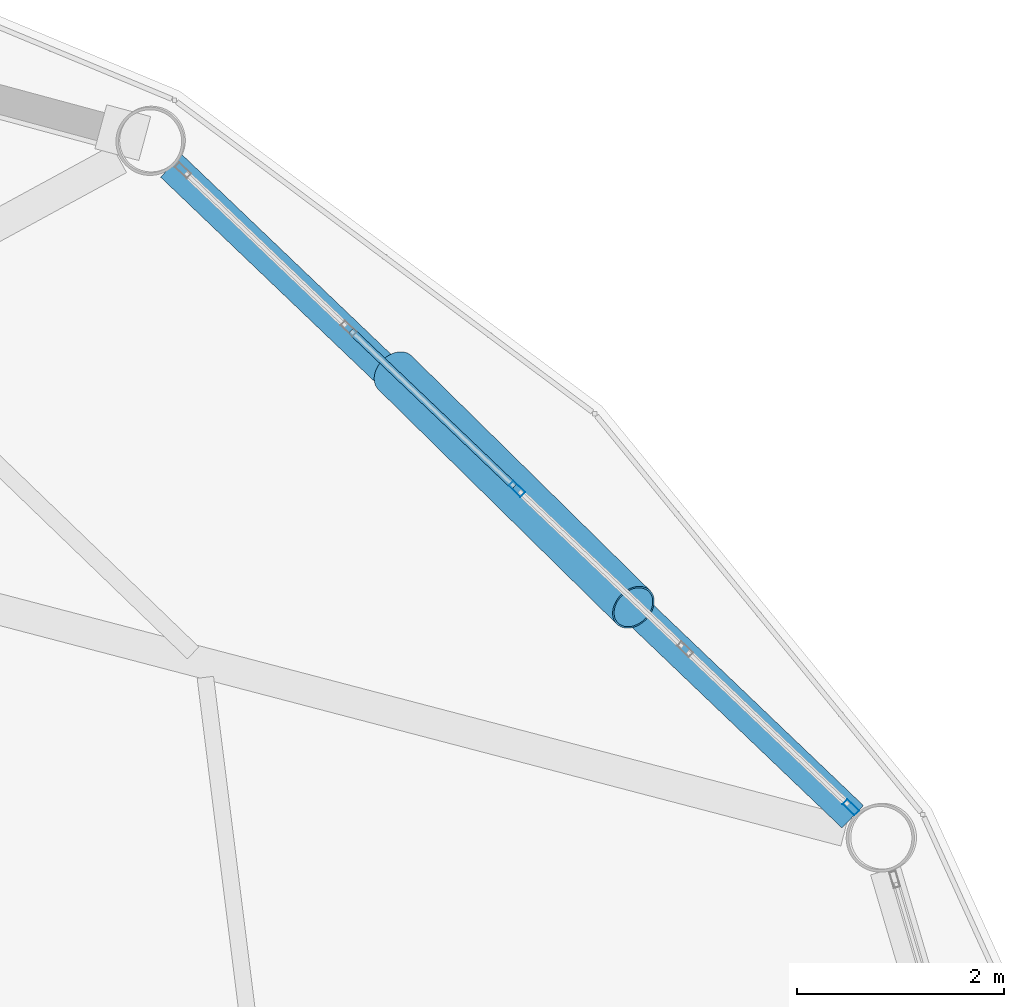
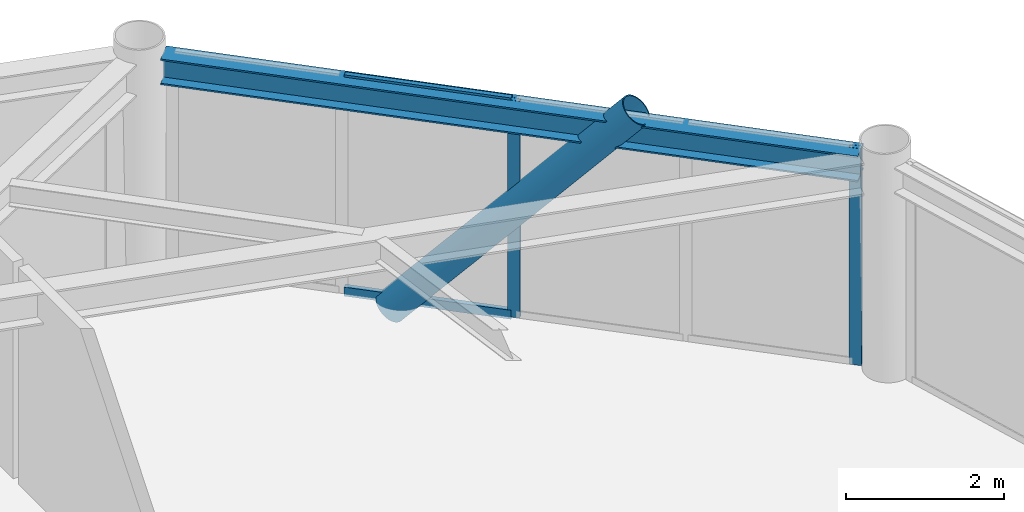
# One storey, part 18 of 28: 5 members, 1 beam, 1 element without a shape of its own.
"""IFC4 building model written with IfcOpenShell, lengths in metres."""

from ifc_helpers import new_model, si_unit, direction, frame, origin, origin_2d, place, context, subcontext, project, spatial, hollow_rectangle, hollow_circle, i_section, extrude, material, layer, layer_set, material_profile, profile_set, type_object, element, aggregate, save


model = new_model("IFC4")

# Units and contexts
model_context = context("Model", 3, precision=1e-05, world=origin(), true_north=direction((0.0, 1.0)))
body_context = subcontext(model_context, "Body", "Model", "MODEL_VIEW")
ifc_project = project(units=[si_unit("LENGTHUNIT", "METRE"), si_unit("AREAUNIT", "SQUARE_METRE"), si_unit("VOLUMEUNIT", "CUBIC_METRE"), si_unit("PLANEANGLEUNIT", "RADIAN"), si_unit("MASSUNIT", "GRAM", prefix="KILO")], contexts=[model_context])

# Site, building, storey
site_placement = place(None, origin())
site = spatial("IfcSite", under=ifc_project, at=site_placement, CompositionType="ELEMENT")
building_placement = place(site_placement, origin())
building = spatial("IfcBuilding", under=site, at=building_placement, Name="Varnakorn Sky Granary", CompositionType="ELEMENT")
storey_placement = place(building_placement, frame((0.0, 0.0, 196.800048828125)))
storey = spatial("IfcBuildingStorey", under=building, at=storey_placement, Name="L49", CompositionType="ELEMENT", Elevation=196.800048828125)

# Beam
ifc_material_1 = material(Name="Steel S355JR", Category="steel")
ifc_material_profile_1 = material_profile(ifc_material_1, i_section(OverallWidth=0.300048828125, OverallDepth=0.39990234375, WebThickness=0.013427734375, FlangeThickness=0.02392578125, at=origin_2d()), Name="HE 400 B")
ifc_profile_set_1 = profile_set([ifc_material_profile_1], Name="Steel S355JR")
beam_type = type_object("IfcBeamType", Name="BM-SPD-Z4", PredefinedType="SPANDREL", material=ifc_profile_set_1)
beam_placement = place(storey_placement, frame((21.285400390625, 9.406494140625, 3.159912109375), z_axis=(-0.723135849748, 0.69070582943, 0.0), x_axis=(-0.69070582943, -0.723135849748, 0.0)))
element("IfcBeam", 1, at=beam_placement, inside=storey, type_object=beam_type, Name="Perimeter Spandrel Ring Beam RB02 L49", PredefinedType="SPANDREL", context=body_context, shape_type="SweptSolid", body=[
    extrude(i_section(OverallWidth=0.300048828125, OverallDepth=0.39990234375, WebThickness=0.013427734375, FlangeThickness=0.02392578125, at=origin_2d()), origin(), (0.0, 0.0, 1.0), 9.109130859375),
])

# Curtain wall, members
ifc_material_2 = material(Name="Anodised Bronze Aluminium Alloy 6063-T6", Category="aluminium")
ifc_layer = layer(ifc_material_2, 0.169921875, Name="Anodised Bronze Aluminium Alloy 6063-T6")
ifc_layer_set = layer_set([ifc_layer], Name="Anodised Bronze Aluminium Alloy 6063-T6")
curtain_wall_type = type_object("IfcCurtainWallType", Name="CW-LAB-1", PredefinedType="USERDEFINED", material=ifc_layer_set)
curtain_wall_placement = place(storey_placement, origin())
curtain_wall = element("IfcCurtainWall", 2, at=curtain_wall_placement, inside=storey, type_object=curtain_wall_type, Name="Unitised Curtain Wall CW5 CW-L49-B02", ObjectType="CURTAIN WALL", PredefinedType="USERDEFINED")
ifc_material_profile_2 = material_profile(ifc_material_2, hollow_rectangle(XDim=0.06494140625, YDim=0.159912109375, WallThickness=0.00341796875, at=origin_2d()), Name="ALU MULL 65x160")
ifc_profile_set_2 = profile_set([ifc_material_profile_2], Name="Anodised Bronze Aluminium Alloy 6063-T6")
member_type_1 = type_object("IfcMemberType", Name="CW-LAB-1-MULL", PredefinedType="MULLION", material=ifc_profile_set_2)
member_1_placement = place(storey_placement, frame((18.038330078125, 12.57568359375, 0.0), z_axis=(0.0, 0.0, 1.0), x_axis=(0.690097158605, 0.723716734424, 0.0)))
member_1 = element("IfcMember", 3, at=member_1_placement, type_object=member_type_1, Name="CW5 mullion 3", PredefinedType="MULLION", context=body_context, shape_type="SweptSolid", body=[
    extrude(hollow_rectangle(XDim=0.06494140625, YDim=0.159912109375, WallThickness=0.00341796875, at=origin_2d()), origin(), (0.0, 0.0, 1.0), 3.35986328125),
])
member_2_placement = place(storey_placement, frame((21.266357421875, 9.49755859375, 0.0), z_axis=(0.0, 0.0, 1.0), x_axis=(0.690097158605, 0.723716734424, 0.0)))
member_2 = element("IfcMember", 4, at=member_2_placement, type_object=member_type_1, Name="CW5 mullion 5", PredefinedType="MULLION", context=body_context, shape_type="SweptSolid", body=[
    extrude(hollow_rectangle(XDim=0.06494140625, YDim=0.159912109375, WallThickness=0.00341796875, at=origin_2d()), origin(), (0.0, 0.0, 1.0), 3.35986328125),
])
ifc_material_profile_3 = material_profile(ifc_material_2, hollow_rectangle(XDim=0.070068359375, YDim=0.139892578125, WallThickness=0.00341796875, at=origin_2d()), Name="ALU TRAN 70x140")
ifc_profile_set_3 = profile_set([ifc_material_profile_3], Name="Anodised Bronze Aluminium Alloy 6063-T6")
member_type_2 = type_object("IfcMemberType", Name="CW-LAB-1-TRAN", PredefinedType="USERDEFINED", material=ifc_profile_set_3)
member_3_placement = place(storey_placement, frame((16.43603515625, 14.103515625, 0.034912109375), z_axis=(0.723749243544, -0.690063064125, 0.0), x_axis=(0.690063064125, 0.723749243544, 0.0)))
member_3 = element("IfcMember", 5, at=member_3_placement, type_object=member_type_2, Name="CW5 transom 2.1", ObjectType="TRANSOM", PredefinedType="USERDEFINED", context=body_context, shape_type="SweptSolid", body=[
    extrude(hollow_rectangle(XDim=0.070068359375, YDim=0.139892578125, WallThickness=0.00341796875, at=origin_2d()), origin(), (0.0, 0.0, 1.0), 2.181396484375),
])
member_4_placement = place(storey_placement, frame((16.43603515625, 14.103515625, 3.324951171875), z_axis=(0.723749243544, -0.690063064125, 0.0), x_axis=(0.690063064125, 0.723749243544, 0.0)))
member_4 = element("IfcMember", 6, at=member_4_placement, type_object=member_type_2, Name="CW5 transom 2.2", ObjectType="TRANSOM", PredefinedType="USERDEFINED", context=body_context, shape_type="SweptSolid", body=[
    extrude(hollow_rectangle(XDim=0.070068359375, YDim=0.139892578125, WallThickness=0.00341796875, at=origin_2d()), origin(), (0.0, 0.0, 1.0), 2.181396484375),
])
aggregate(curtain_wall, [member_1, member_2, member_3, member_4])

# Member
ifc_material_3 = material(Name="Steel S460M", Category="steel")
ifc_material_profile_4 = material_profile(ifc_material_3, hollow_circle(Radius=0.228515625, WallThickness=0.01611328125, at=origin_2d()), Name="CHS 457x16")
ifc_profile_set_4 = profile_set([ifc_material_profile_4], Name="Steel S460M")
member_type_3 = type_object("IfcMemberType", Name="MB-DIAG-T3", PredefinedType="BRACE", material=ifc_profile_set_4)
member_5_placement = place(storey_placement, frame((16.8603515625, 13.698974609375, -0.130126953125), z_axis=(0.474905544768, -0.467159786041, 0.745805911652), x_axis=(0.701269172447, 0.712896589819, 0.0)))
element("IfcMember", 7, at=member_5_placement, inside=storey, type_object=member_type_3, Name="Perimeter CHS Diagrid Brace DG02 L49", PredefinedType="BRACE", context=body_context, shape_type="SweptSolid", body=[
    extrude(hollow_circle(Radius=0.228515625, WallThickness=0.01611328125, at=origin_2d()), origin(), (0.0, 0.0, 1.0), 4.85400390625),
])

save(model, "model.ifc")
